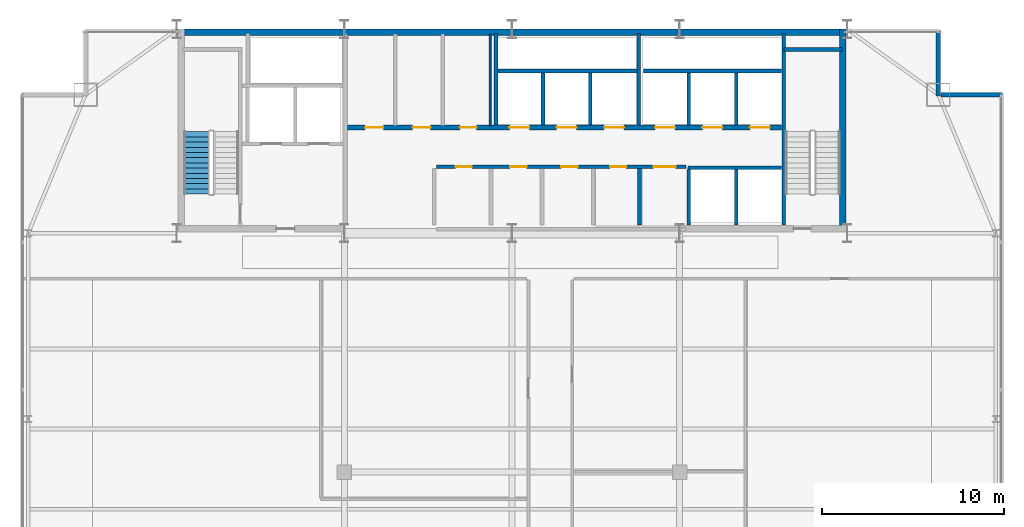
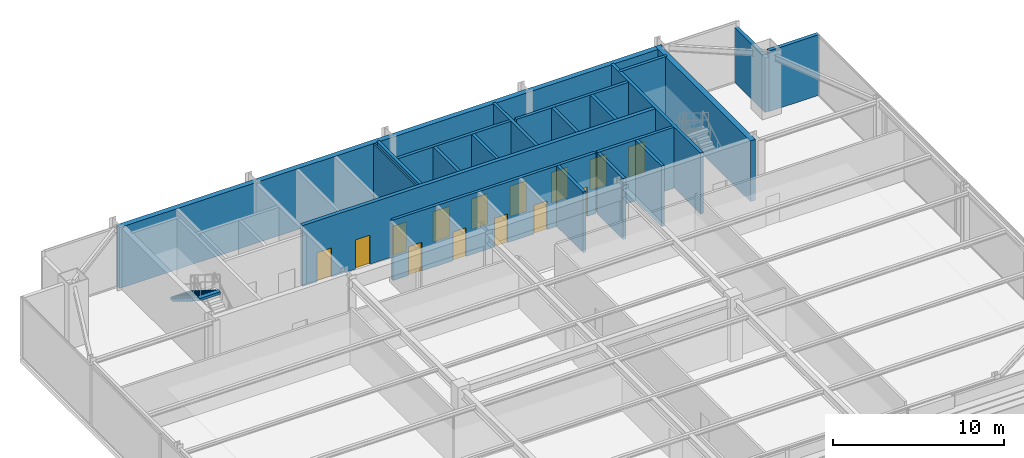
# One storey, part 22 of 25: 21 walls, 14 doors, 1 stair flight, 14 openings, 1 element without a shape of its own.
"""IFC4 building model written with IfcOpenShell, lengths in metres."""

from ifc_helpers import new_model, si_unit, direction, frame, frame_2d, origin, place, context, subcontext, project, spatial, polyline, rectangle, outline, extrude, source, transform, mapped, material, layer, layer_set, type_object, type_shapes, element, fill, aggregate, save


model = new_model("IFC4")

# Units and contexts
model_context = context("Model", 3, precision=1e-05, world=origin(), true_north=direction((0.0, 1.0)))
body_context = subcontext(model_context, "Body", "Model", "MODEL_VIEW")
ifc_project = project(units=[si_unit("LENGTHUNIT", "METRE"), si_unit("AREAUNIT", "SQUARE_METRE"), si_unit("VOLUMEUNIT", "CUBIC_METRE"), si_unit("PLANEANGLEUNIT", "RADIAN"), si_unit("MASSUNIT", "GRAM", prefix="KILO")], contexts=[model_context])

# Site, building, storey
site_placement = place(None, origin())
site = spatial("IfcSite", under=ifc_project, at=site_placement, CompositionType="ELEMENT")
building_placement = place(site_placement, origin())
building = spatial("IfcBuilding", under=site, at=building_placement, Name="Varnel Quay Broadcast Tower", CompositionType="ELEMENT")
storey_placement = place(building_placement, frame((0.0, 0.0, 191.39990234375)))
storey = spatial("IfcBuildingStorey", under=building, at=storey_placement, Name="L47", CompositionType="ELEMENT", Elevation=191.39990234375)

# Walls
ifc_material_1 = material(Name="Concrete CSA A23.3 C50/60", Category="concrete")
ifc_layer_1 = layer(ifc_material_1, 0.199951171875, Name="Concrete CSA A23.3 C50/60")
ifc_layer_set_1 = layer_set([ifc_layer_1], Name="Concrete CSA A23.3 C50/60")
wall_type_1 = type_object("IfcWallType", Name="Wall_CoreShaftShear200", PredefinedType="SHEAR", material=ifc_layer_set_1)
wall_1_placement = place(storey_placement, frame((48.919921875, 36.050048828125, 0.0), z_axis=(0.0, 0.0, 1.0), x_axis=(0.0, 1.0, 0.0)))
element("IfcWall", 1, at=wall_1_placement, inside=storey, type_object=wall_type_1, Name="L47 Stair 2 West Structural Wall", PredefinedType="SHEAR", context=body_context, shape_type="SweptSolid", body=[
    extrude(rectangle(XDim=10.5, YDim=0.199951171875, at=frame_2d((5.25, 0.0))), origin(), (0.0, 0.0, 1.0), 4.35009765625),
])
wall_2_placement = place(storey_placement, frame((48.919921875, 45.679931640625, 0.0), z_axis=(0.0, 0.0, 1.0), x_axis=(1.0, 0.0, 0.0)))
element("IfcWall", 2, at=wall_2_placement, inside=storey, type_object=wall_type_1, Name="L47 Stair 2 North Structural Wall", PredefinedType="SHEAR", context=body_context, shape_type="SweptSolid", body=[
    extrude(rectangle(XDim=3.18017578125, YDim=0.199951171875, at=frame_2d((1.590087890625, 0.0))), origin(), (0.0, 0.0, 1.0), 4.35009765625),
])
wall_3_placement = place(storey_placement, frame((33.219970703125, 44.5, 0.0), z_axis=(0.0, 0.0, 1.0), x_axis=(1.0, 0.0, 0.0)))
element("IfcWall", 3, at=wall_3_placement, inside=storey, type_object=wall_type_1, Name="L47 Mid-Rise Lift Shaft Rear Wall", PredefinedType="SHEAR", context=body_context, shape_type="SweptSolid", body=[
    extrude(rectangle(XDim=7.630126953125, YDim=0.199951171875, at=frame_2d((3.81494140625, 0.0))), origin(), (0.0, 0.0, 1.0), 4.35009765625),
])
wall_4_placement = place(storey_placement, frame((33.1201171875, 41.530029296875, 0.0), z_axis=(0.0, 0.0, 1.0), x_axis=(0.0, 1.0, 0.0)))
element("IfcWall", 4, at=wall_4_placement, inside=storey, type_object=wall_type_1, Name="L47 Mid-Rise Lift Shaft Divider 1", PredefinedType="SHEAR", context=body_context, shape_type="SweptSolid", body=[
    extrude(rectangle(XDim=5.02001953125, YDim=0.199951171875, at=frame_2d((2.510009765625, 0.0))), origin(), (0.0, 0.0, 1.0), 4.35009765625),
])
for number, where, z_axis, x_axis, name in (
    (5, (35.699951171875, 41.530029296875, 0.0), (0.0, 0.0, 1.0), (0.0, 1.0, 0.0), "L47 Mid-Rise Lift Shaft Divider 2"),
    (6, (38.300048828125, 41.530029296875, 0.0), (0.0, 0.0, 1.0), (0.0, 1.0, 0.0), "L47 Mid-Rise Lift Shaft Divider 3"),
):
    element("IfcWall", number, at=place(storey_placement, frame(where, z_axis=z_axis, x_axis=x_axis)), inside=storey, type_object=wall_type_1, Name=name, PredefinedType="SHEAR", context=body_context, shape_type="SweptSolid", body=[
        extrude(rectangle(XDim=2.869873046875, YDim=0.199951171875, at=frame_2d((1.43505859375, 0.0))), origin(), (0.0, 0.0, 1.0), 4.35009765625),
    ])
wall_5_placement = place(storey_placement, frame((40.949951171875, 41.530029296875, 0.0), z_axis=(0.0, 0.0, 1.0), x_axis=(0.0, 1.0, 0.0)))
element("IfcWall", 7, at=wall_5_placement, inside=storey, type_object=wall_type_1, Name="L47 Mid-Rise Lift Shaft Divider 4", PredefinedType="SHEAR", context=body_context, shape_type="SweptSolid", body=[
    extrude(rectangle(XDim=5.02001953125, YDim=0.199951171875, at=frame_2d((2.510009765625, 0.0))), origin(), (0.0, 0.0, 1.0), 4.35009765625),
])
wall_6_placement = place(storey_placement, frame((41.219970703125, 44.5, 0.0), z_axis=(0.0, 0.0, 1.0), x_axis=(1.0, 0.0, 0.0)))
element("IfcWall", 8, at=wall_6_placement, inside=storey, type_object=wall_type_1, Name="L47 High-Rise Lift Shaft Rear Wall", PredefinedType="SHEAR", context=body_context, shape_type="SweptSolid", body=[
    extrude(rectangle(XDim=7.580078125, YDim=0.199951171875, at=frame_2d((3.7900390625, 0.0))), origin(), (0.0, 0.0, 1.0), 4.35009765625),
])
for number, where, z_axis, x_axis, name in (
    (9, (43.699951171875, 41.530029296875, 0.0), (0.0, 0.0, 1.0), (0.0, 1.0, 0.0), "L47 High-Rise Lift Shaft Divider 2"),
    (10, (46.300048828125, 41.530029296875, 0.0), (0.0, 0.0, 1.0), (0.0, 1.0, 0.0), "L47 High-Rise Lift Shaft Divider 3"),
):
    element("IfcWall", number, at=place(storey_placement, frame(where, z_axis=z_axis, x_axis=x_axis)), inside=storey, type_object=wall_type_1, Name=name, PredefinedType="SHEAR", context=body_context, shape_type="SweptSolid", body=[
        extrude(rectangle(XDim=2.869873046875, YDim=0.199951171875, at=frame_2d((1.43505859375, 0.0))), origin(), (0.0, 0.0, 1.0), 4.35009765625),
    ])
for number, where, z_axis, x_axis, name in (
    (11, (43.699951171875, 36.050048828125, 0.0), (0.0, 0.0, 1.0), (0.0, 1.0, 0.0), "L47 Express Lift Shaft West Wall"),
    (12, (46.300048828125, 36.050048828125, 0.0), (0.0, 0.0, 1.0), (0.0, 1.0, 0.0), "L47 Express Lift Shaft Divider"),
):
    element("IfcWall", number, at=place(storey_placement, frame(where, z_axis=z_axis, x_axis=x_axis)), inside=storey, type_object=wall_type_1, Name=name, PredefinedType="SHEAR", context=body_context, shape_type="SweptSolid", body=[
        extrude(rectangle(XDim=3.050048828125, YDim=0.199951171875, at=frame_2d((1.52490234375, 0.0))), origin(), (0.0, 0.0, 1.0), 4.35009765625),
    ])
wall_7_placement = place(storey_placement, frame((43.64990234375, 39.199951171875, 0.0), z_axis=(0.0, 0.0, 1.0), x_axis=(1.0, 0.0, 0.0)))
element("IfcWall", 13, at=wall_7_placement, inside=storey, type_object=wall_type_1, Name="L47 Express Lift Shaft North Front Wall", PredefinedType="SHEAR", context=body_context, shape_type="SweptSolid", body=[
    extrude(rectangle(XDim=5.150146484375, YDim=0.199951171875, at=frame_2d((2.5751953125, 0.0))), origin(), (0.0, 0.0, 1.0), 4.35009765625),
])

# Wall, openings, doors
ifc_layer_2 = layer(ifc_material_1, 0.25, Name="Concrete CSA A23.3 C50/60")
ifc_layer_set_2 = layer_set([ifc_layer_2], Name="Concrete CSA A23.3 C50/60")
wall_type_2 = type_object("IfcWallType", Name="Wall_CoreShaftShear250", PredefinedType="SHEAR", material=ifc_layer_set_2)
wall_8_placement = place(storey_placement, frame((24.97998046875, 41.39990234375, 0.0), z_axis=(0.0, 0.0, 1.0), x_axis=(1.0, 0.0, 0.0)))
wall_8 = element("IfcWall", 14, at=wall_8_placement, inside=storey, type_object=wall_type_2, Name="L47 North Lift Bank & Reclaimed Suite Wall", PredefinedType="SHEAR", context=body_context, shape_type="SweptSolid", body=[
    extrude(rectangle(XDim=23.820068359375, YDim=0.25, at=frame_2d((11.91015625, 0.0))), origin(), (0.0, 0.0, 1.0), 4.35009765625),
])
opening_1_placement = place(wall_8_placement, frame((8.8701171875, 0.0, 0.0)))
opening_1 = element("IfcOpeningElement", 15, at=opening_1_placement, cuts=wall_8, Name="Opening LD-L47-PM-01", PredefinedType="OPENING", context=body_context, shape_type="SweptSolid", body=[
    extrude(rectangle(XDim=1.10009765625, YDim=2.179931640625, at=frame_2d((0.550048828125, 1.08984375))), frame((0.0, 0.135009765625, 0.0), z_axis=(0.0, -1.0, 0.0), x_axis=(1.0, 0.0, 0.0)), (0.0, 0.0, 1.0), 0.27001953125),
])
opening_2_placement = place(wall_8_placement, frame((11.469970703125, 0.0, 0.0)))
opening_2 = element("IfcOpeningElement", 16, at=opening_2_placement, cuts=wall_8, Name="Opening LD-L47-PM-02", PredefinedType="OPENING", context=body_context, shape_type="SweptSolid", body=[
    extrude(rectangle(XDim=1.10009765625, YDim=2.179931640625, at=frame_2d((0.550048828125, 1.08984375))), frame((0.0, 0.135009765625, 0.0), z_axis=(0.0, -1.0, 0.0), x_axis=(1.0, 0.0, 0.0)), (0.0, 0.0, 1.0), 0.27001953125),
])
opening_3_placement = place(wall_8_placement, frame((14.070068359375, 0.0, 0.0)))
opening_3 = element("IfcOpeningElement", 17, at=opening_3_placement, cuts=wall_8, Name="Opening LD-L47-PM-03", PredefinedType="OPENING", context=body_context, shape_type="SweptSolid", body=[
    extrude(rectangle(XDim=1.10009765625, YDim=2.179931640625, at=frame_2d((0.550048828125, 1.08984375))), frame((0.0, 0.135009765625, 0.0), z_axis=(0.0, -1.0, 0.0), x_axis=(1.0, 0.0, 0.0)), (0.0, 0.0, 1.0), 0.27001953125),
])
opening_4_placement = place(wall_8_placement, frame((16.8701171875, 0.0, 0.0)))
opening_4 = element("IfcOpeningElement", 18, at=opening_4_placement, cuts=wall_8, Name="Opening LD-L47-PH-01", PredefinedType="OPENING", context=body_context, shape_type="SweptSolid", body=[
    extrude(rectangle(XDim=1.10009765625, YDim=2.179931640625, at=frame_2d((0.550048828125, 1.08984375))), frame((0.0, 0.135009765625, 0.0), z_axis=(0.0, -1.0, 0.0), x_axis=(1.0, 0.0, 0.0)), (0.0, 0.0, 1.0), 0.27001953125),
])
opening_5_placement = place(wall_8_placement, frame((19.469970703125, 0.0, 0.0)))
opening_5 = element("IfcOpeningElement", 19, at=opening_5_placement, cuts=wall_8, Name="Opening LD-L47-PH-02", PredefinedType="OPENING", context=body_context, shape_type="SweptSolid", body=[
    extrude(rectangle(XDim=1.10009765625, YDim=2.179931640625, at=frame_2d((0.550048828125, 1.08984375))), frame((0.0, 0.135009765625, 0.0), z_axis=(0.0, -1.0, 0.0), x_axis=(1.0, 0.0, 0.0)), (0.0, 0.0, 1.0), 0.27001953125),
])
opening_6_placement = place(wall_8_placement, frame((22.070068359375, 0.0, 0.0)))
opening_6 = element("IfcOpeningElement", 20, at=opening_6_placement, cuts=wall_8, Name="Opening LD-L47-PH-03", PredefinedType="OPENING", context=body_context, shape_type="SweptSolid", body=[
    extrude(rectangle(XDim=1.10009765625, YDim=2.179931640625, at=frame_2d((0.550048828125, 1.08984375))), frame((0.0, 0.135009765625, 0.0), z_axis=(0.0, -1.0, 0.0), x_axis=(1.0, 0.0, 0.0)), (0.0, 0.0, 1.0), 0.27001953125),
])
opening_7_placement = place(wall_8_placement, frame((0.9599609375, 0.0, 0.0)))
opening_7 = element("IfcOpeningElement", 21, at=opening_7_placement, cuts=wall_8, Name="Opening D-L47-RECA1", PredefinedType="OPENING", context=body_context, shape_type="SweptSolid", body=[
    extrude(rectangle(XDim=1.0, YDim=2.080078125, at=frame_2d((0.5, 1.0400390625))), frame((0.0, 0.135009765625, 0.0), z_axis=(0.0, -1.0, 0.0), x_axis=(1.0, 0.0, 0.0)), (0.0, 0.0, 1.0), 0.27001953125),
])
opening_8_placement = place(wall_8_placement, frame((3.56005859375, 0.0, 0.0)))
opening_8 = element("IfcOpeningElement", 22, at=opening_8_placement, cuts=wall_8, Name="Opening D-L47-RECA2", PredefinedType="OPENING", context=body_context, shape_type="SweptSolid", body=[
    extrude(rectangle(XDim=1.0, YDim=2.080078125, at=frame_2d((0.5, 1.0400390625))), frame((0.0, 0.135009765625, 0.0), z_axis=(0.0, -1.0, 0.0), x_axis=(1.0, 0.0, 0.0)), (0.0, 0.0, 1.0), 0.27001953125),
])
opening_9_placement = place(wall_8_placement, frame((6.159912109375, 0.0, 0.0)))
opening_9 = element("IfcOpeningElement", 23, at=opening_9_placement, cuts=wall_8, Name="Opening D-L47-RECA3", PredefinedType="OPENING", context=body_context, shape_type="SweptSolid", body=[
    extrude(rectangle(XDim=0.919921875, YDim=2.080078125, at=frame_2d((0.4599609375, 1.0400390625))), frame((0.0, 0.135009765625, 0.0), z_axis=(0.0, -1.0, 0.0), x_axis=(1.0, 0.0, 0.0)), (0.0, 0.0, 1.0), 0.27001953125),
])
ifc_material_2 = material(Name="Brushed Bronze-Stainless Lift Car & Sliding Doors", Category="steel")
door_type_1 = type_object("IfcDoorType", Name="Door_LiftLanding1100", OperationType="SLIDING_TO_LEFT", PredefinedType="DOOR", material=ifc_material_2)
shared_shape_1 = source(origin(), body_context, "Body", "SweptSolid", [
    extrude(rectangle(XDim=1.10009765625, YDim=2.179931640625, at=frame_2d((0.550048828125, 1.08984375))), frame((0.0, 0.02490234375, 0.0), z_axis=(0.0, -1.0, 0.0), x_axis=(1.0, 0.0, 0.0)), (0.0, 0.0, 1.0), 0.050048828125),
])
type_shapes(door_type_1, [shared_shape_1])
door_1_placement = place(opening_1_placement, frame((1.10009765625, 0.0, 0.0), z_axis=(0.0, 0.0, 1.0), x_axis=(-1.0, 0.0, 0.0)))
door_1 = element("IfcDoor", 24, at=door_1_placement, inside=storey, type_object=door_type_1, Name="L47 Lift PM-01 Landing Door", OperationType="SLIDING_TO_LEFT", OverallHeight=2.179931640625, OverallWidth=1.10009765625, PredefinedType="DOOR", context=body_context, shape_type="MappedRepresentation", body=[
    mapped(shared_shape_1, transform((0.0, 0.0, 0.0), x_axis=(1.0, 0.0, 0.0), y_axis=(0.0, 1.0, 0.0), z_axis=(0.0, 0.0, 1.0), scale=1.0)),
])
fill(opening_1, door_1)
door_2_placement = place(opening_2_placement, frame((1.10009765625, 0.0, 0.0), z_axis=(0.0, 0.0, 1.0), x_axis=(-1.0, 0.0, 0.0)))
door_2 = element("IfcDoor", 25, at=door_2_placement, inside=storey, type_object=door_type_1, Name="L47 Lift PM-02 Landing Door", OperationType="SLIDING_TO_LEFT", OverallHeight=2.179931640625, OverallWidth=1.10009765625, PredefinedType="DOOR", context=body_context, shape_type="MappedRepresentation", body=[
    mapped(shared_shape_1, transform((0.0, 0.0, 0.0), x_axis=(1.0, 0.0, 0.0), y_axis=(0.0, 1.0, 0.0), z_axis=(0.0, 0.0, 1.0), scale=1.0)),
])
fill(opening_2, door_2)
door_3_placement = place(opening_3_placement, frame((1.10009765625, 0.0, 0.0), z_axis=(0.0, 0.0, 1.0), x_axis=(-1.0, 0.0, 0.0)))
door_3 = element("IfcDoor", 26, at=door_3_placement, inside=storey, type_object=door_type_1, Name="L47 Lift PM-03 Landing Door", OperationType="SLIDING_TO_LEFT", OverallHeight=2.179931640625, OverallWidth=1.10009765625, PredefinedType="DOOR", context=body_context, shape_type="MappedRepresentation", body=[
    mapped(shared_shape_1, transform((0.0, 0.0, 0.0), x_axis=(1.0, 0.0, 0.0), y_axis=(0.0, 1.0, 0.0), z_axis=(0.0, 0.0, 1.0), scale=1.0)),
])
fill(opening_3, door_3)
door_4_placement = place(opening_4_placement, frame((1.10009765625, 0.0, 0.0), z_axis=(0.0, 0.0, 1.0), x_axis=(-1.0, 0.0, 0.0)))
door_4 = element("IfcDoor", 27, at=door_4_placement, inside=storey, type_object=door_type_1, Name="L47 Lift PH-01 Landing Door", OperationType="SLIDING_TO_LEFT", OverallHeight=2.179931640625, OverallWidth=1.10009765625, PredefinedType="DOOR", context=body_context, shape_type="MappedRepresentation", body=[
    mapped(shared_shape_1, transform((0.0, 0.0, 0.0), x_axis=(1.0, 0.0, 0.0), y_axis=(0.0, 1.0, 0.0), z_axis=(0.0, 0.0, 1.0), scale=1.0)),
])
fill(opening_4, door_4)
door_5_placement = place(opening_5_placement, frame((1.10009765625, 0.0, 0.0), z_axis=(0.0, 0.0, 1.0), x_axis=(-1.0, 0.0, 0.0)))
door_5 = element("IfcDoor", 28, at=door_5_placement, inside=storey, type_object=door_type_1, Name="L47 Lift PH-02 Landing Door", OperationType="SLIDING_TO_LEFT", OverallHeight=2.179931640625, OverallWidth=1.10009765625, PredefinedType="DOOR", context=body_context, shape_type="MappedRepresentation", body=[
    mapped(shared_shape_1, transform((0.0, 0.0, 0.0), x_axis=(1.0, 0.0, 0.0), y_axis=(0.0, 1.0, 0.0), z_axis=(0.0, 0.0, 1.0), scale=1.0)),
])
fill(opening_5, door_5)
door_6_placement = place(opening_6_placement, frame((1.10009765625, 0.0, 0.0), z_axis=(0.0, 0.0, 1.0), x_axis=(-1.0, 0.0, 0.0)))
door_6 = element("IfcDoor", 29, at=door_6_placement, inside=storey, type_object=door_type_1, Name="L47 Lift PH-03 Landing Door", OperationType="SLIDING_TO_LEFT", OverallHeight=2.179931640625, OverallWidth=1.10009765625, PredefinedType="DOOR", context=body_context, shape_type="MappedRepresentation", body=[
    mapped(shared_shape_1, transform((0.0, 0.0, 0.0), x_axis=(1.0, 0.0, 0.0), y_axis=(0.0, 1.0, 0.0), z_axis=(0.0, 0.0, 1.0), scale=1.0)),
])
fill(opening_6, door_6)
ifc_material_3 = material(Name="Insulated Fire-Rated Hollow Steel Door", Category="steel")
door_type_2 = type_object("IfcDoorType", Name="Door_FireLobby1000", OperationType="NOTDEFINED", PredefinedType="DOOR", material=ifc_material_3)
shared_shape_2 = source(origin(), body_context, "Body", "SweptSolid", [
    extrude(rectangle(XDim=1.0, YDim=2.080078125, at=frame_2d((0.5, 1.0400390625))), frame((0.0, 0.02490234375, 0.0), z_axis=(0.0, -1.0, 0.0), x_axis=(1.0, 0.0, 0.0)), (0.0, 0.0, 1.0), 0.050048828125),
])
type_shapes(door_type_2, [shared_shape_2])
door_7_placement = place(opening_7_placement, origin())
door_7 = element("IfcDoor", 30, at=door_7_placement, inside=storey, type_object=door_type_2, Name="L47 Ingest Rack Bay A Door", OperationType="SINGLE_SWING_LEFT", OverallHeight=2.080078125, OverallWidth=1.0, PredefinedType="DOOR", context=body_context, shape_type="MappedRepresentation", body=[
    mapped(shared_shape_2, transform((0.0, 0.0, 0.0), x_axis=(1.0, 0.0, 0.0), y_axis=(0.0, 1.0, 0.0), z_axis=(0.0, 0.0, 1.0), scale=1.0)),
])
fill(opening_7, door_7)
door_8_placement = place(opening_8_placement, origin())
door_8 = element("IfcDoor", 31, at=door_8_placement, inside=storey, type_object=door_type_2, Name="L47 Fiber Patch Bay Door", OperationType="SINGLE_SWING_RIGHT", OverallHeight=2.080078125, OverallWidth=1.0, PredefinedType="DOOR", context=body_context, shape_type="MappedRepresentation", body=[
    mapped(shared_shape_2, transform((0.0, 0.0, 0.0), x_axis=(1.0, 0.0, 0.0), y_axis=(0.0, 1.0, 0.0), z_axis=(0.0, 0.0, 1.0), scale=1.0)),
])
fill(opening_8, door_8)
ifc_material_4 = material(Name="Solid-Core Fire-Rated Acoustic Oak Veneer Door", Category="wood")
door_type_3 = type_object("IfcDoorType", Name="Door_Office920", OperationType="NOTDEFINED", PredefinedType="DOOR", material=ifc_material_4)
shared_shape_3 = source(origin(), body_context, "Body", "SweptSolid", [
    extrude(rectangle(XDim=0.919921875, YDim=2.080078125, at=frame_2d((0.4599609375, 1.0400390625))), frame((0.0, 0.02490234375, 0.0), z_axis=(0.0, -1.0, 0.0), x_axis=(1.0, 0.0, 0.0)), (0.0, 0.0, 1.0), 0.050048828125),
])
type_shapes(door_type_3, [shared_shape_3])
door_9_placement = place(opening_9_placement, origin())
door_9 = element("IfcDoor", 32, at=door_9_placement, inside=storey, type_object=door_type_3, Name="L47 Telemetry Store Door", OperationType="SINGLE_SWING_LEFT", OverallHeight=2.080078125, OverallWidth=0.919921875, PredefinedType="DOOR", context=body_context, shape_type="MappedRepresentation", body=[
    mapped(shared_shape_3, transform((0.0, 0.0, 0.0), x_axis=(1.0, 0.0, 0.0), y_axis=(0.0, 1.0, 0.0), z_axis=(0.0, 0.0, 1.0), scale=1.0)),
])
fill(opening_9, door_9)

# Walls
ifc_layer_3 = layer(ifc_material_1, 0.35009765625, Name="Concrete CSA A23.3 C50/60")
ifc_layer_set_3 = layer_set([ifc_layer_3], Name="Concrete CSA A23.3 C50/60")
wall_type_3 = type_object("IfcWallType", Name="Wall_CoreShearExt350", PredefinedType="SHEAR", material=ifc_layer_set_3)
wall_9_placement = place(storey_placement, frame((15.60009765625, 46.625, 0.0), z_axis=(0.0, 0.0, 1.0), x_axis=(1.0, 0.0, 0.0)))
element("IfcWall", 33, at=wall_9_placement, inside=storey, type_object=wall_type_3, Name="L47 North Core Shear Wall", PredefinedType="SHEAR", context=body_context, shape_type="SweptSolid", body=[
    extrude(rectangle(XDim=36.7998046875, YDim=0.35009765625, at=frame_2d((18.39990234375, 0.0))), origin(), (0.0, 0.0, 1.0), 4.35009765625),
])
ifc_layer_4 = layer(ifc_material_1, 0.35009765625, Name="Concrete CSA A23.3 C50/60")
ifc_layer_set_4 = layer_set([ifc_layer_4], Name="Concrete CSA A23.3 C50/60")
wall_type_4 = type_object("IfcWallType", Name="Wall_CoreShearInt350", PredefinedType="SHEAR", material=ifc_layer_set_4)
wall_10_placement = place(storey_placement, frame((52.155029296875, 35.669921875, 0.0), z_axis=(0.0, 0.0, 1.0), x_axis=(0.0, 1.0, 0.0)))
element("IfcWall", 34, at=wall_10_placement, inside=storey, type_object=wall_type_4, Name="L47 East Core Shear Wall", PredefinedType="SHEAR", context=body_context, shape_type="SweptSolid", body=[
    extrude(rectangle(XDim=11.130126953125, YDim=0.35009765625, at=frame_2d((5.56494140625, 0.0))), origin(), (0.0, 0.0, 1.0), 4.35009765625),
])
ifc_material_5 = material(Name="Precast Architectural Concrete C40/50", Category="concrete")
ifc_layer_5 = layer(ifc_material_5, 0.25, Name="Precast Architectural Concrete C40/50")
ifc_layer_set_5 = layer_set([ifc_layer_5], Name="Precast Architectural Concrete C40/50")
wall_type_5 = type_object("IfcWallType", Name="Wall_ExtTerrace250", PredefinedType="SOLIDWALL", material=ifc_layer_set_5)
wall_11_placement = place(storey_placement, frame((57.530029296875, 43.199951171875, 0.0), z_axis=(0.0, 0.0, 1.0), x_axis=(1.0, 0.0, 0.0)))
element("IfcWall", 35, at=wall_11_placement, inside=storey, type_object=wall_type_5, Name="L47 Mega-Column Notch Cladding Wall NNE1", PredefinedType="SOLIDWALL", context=body_context, shape_type="SweptSolid", body=[
    extrude(rectangle(XDim=3.389892578125, YDim=0.25, at=frame_2d((1.69482421875, 0.0))), origin(), (0.0, 0.0, 1.0), 4.330078125),
])
wall_12_placement = place(storey_placement, frame((57.39990234375, 43.1201171875, 0.0), z_axis=(0.0, 0.0, 1.0), x_axis=(0.0, 1.0, 0.0)))
element("IfcWall", 36, at=wall_12_placement, inside=storey, type_object=wall_type_5, Name="L47 Mega-Column Notch Cladding Wall NNE2", PredefinedType="SOLIDWALL", context=body_context, shape_type="SweptSolid", body=[
    extrude(rectangle(XDim=3.599853515625, YDim=0.25, at=frame_2d((1.7998046875, 0.0))), origin(), (0.0, 0.0, 1.0), 3.908203125),
])

# Wall, openings, doors
ifc_material_6 = material(Name="Concrete Blockwork Fire Enclosure C40/50", Category="masonry")
ifc_layer_6 = layer(ifc_material_6, 0.199951171875, Name="Concrete Blockwork Fire Enclosure C40/50")
ifc_layer_set_6 = layer_set([ifc_layer_6], Name="Concrete Blockwork Fire Enclosure C40/50")
wall_type_6 = type_object("IfcWallType", Name="Wall_FireShaft200", PredefinedType="SOLIDWALL", material=ifc_layer_set_6)
wall_13_placement = place(storey_placement, frame((29.85009765625, 39.25, 0.0), z_axis=(0.0, 0.0, 1.0), x_axis=(1.0, 0.0, 0.0)))
wall_13 = element("IfcWall", 37, at=wall_13_placement, inside=storey, type_object=wall_type_6, Name="L47 Accessible Washroom Partition 3", PredefinedType="SOLIDWALL", context=body_context, shape_type="SweptSolid", body=[
    extrude(rectangle(XDim=13.699951171875, YDim=0.199951171875, at=frame_2d((6.85009765625, 0.0))), origin(), (0.0, 0.0, 1.0), 4.330078125),
])
opening_10_placement = place(wall_13_placement, frame((1.050048828125, 0.0, 0.0)))
opening_10 = element("IfcOpeningElement", 38, at=opening_10_placement, cuts=wall_13, Name="Opening D-L47-01", PredefinedType="OPENING", context=body_context, shape_type="SweptSolid", body=[
    extrude(rectangle(XDim=0.89990234375, YDim=2.06005859375, at=frame_2d((0.449951171875, 1.030029296875))), frame((0.0, 0.10986328125, 0.0), z_axis=(0.0, -1.0, 0.0), x_axis=(1.0, 0.0, 0.0)), (0.0, 0.0, 1.0), 0.219970703125),
])
opening_11_placement = place(wall_13_placement, frame((4.050048828125, 0.0, 0.0)))
opening_11 = element("IfcOpeningElement", 39, at=opening_11_placement, cuts=wall_13, Name="Opening D-L47-02", PredefinedType="OPENING", context=body_context, shape_type="SweptSolid", body=[
    extrude(rectangle(XDim=0.89990234375, YDim=2.06005859375, at=frame_2d((0.449951171875, 1.030029296875))), frame((0.0, 0.10986328125, 0.0), z_axis=(0.0, -1.0, 0.0), x_axis=(1.0, 0.0, 0.0)), (0.0, 0.0, 1.0), 0.219970703125),
])
opening_12_placement = place(wall_13_placement, frame((6.85009765625, 0.0, 0.0)))
opening_12 = element("IfcOpeningElement", 40, at=opening_12_placement, cuts=wall_13, Name="Opening D-L47-03", PredefinedType="OPENING", context=body_context, shape_type="SweptSolid", body=[
    extrude(rectangle(XDim=0.89990234375, YDim=2.06005859375, at=frame_2d((0.449951171875, 1.030029296875))), frame((0.0, 0.10986328125, 0.0), z_axis=(0.0, -1.0, 0.0), x_axis=(1.0, 0.0, 0.0)), (0.0, 0.0, 1.0), 0.219970703125),
])
opening_13_placement = place(wall_13_placement, frame((9.534912109375, 0.0, 0.0)))
opening_13 = element("IfcOpeningElement", 41, at=opening_13_placement, cuts=wall_13, Name="Opening D-L47-04", PredefinedType="OPENING", context=body_context, shape_type="SweptSolid", body=[
    extrude(rectangle(XDim=0.8798828125, YDim=2.06005859375, at=frame_2d((0.43994140625, 1.030029296875))), frame((0.0, 0.10986328125, 0.0), z_axis=(0.0, -1.0, 0.0), x_axis=(1.0, 0.0, 0.0)), (0.0, 0.0, 1.0), 0.219970703125),
])
opening_14_placement = place(wall_13_placement, frame((11.925048828125, 0.0, 0.0)))
opening_14 = element("IfcOpeningElement", 42, at=opening_14_placement, cuts=wall_13, Name="Opening D-L47-05", PredefinedType="OPENING", context=body_context, shape_type="SweptSolid", body=[
    extrude(rectangle(XDim=1.199951171875, YDim=2.10009765625, at=frame_2d((0.60009765625, 1.050048828125))), frame((0.0, 0.10986328125, 0.0), z_axis=(0.0, -1.0, 0.0), x_axis=(1.0, 0.0, 0.0)), (0.0, 0.0, 1.0), 0.219970703125),
])
door_type_4 = type_object("IfcDoorType", Name="Door_Washroom900", OperationType="NOTDEFINED", PredefinedType="DOOR", material=ifc_material_4)
shared_shape_4 = source(origin(), body_context, "Body", "SweptSolid", [
    extrude(rectangle(XDim=0.89990234375, YDim=2.06005859375, at=frame_2d((0.449951171875, 1.030029296875))), frame((0.0, 0.02490234375, 0.0), z_axis=(0.0, -1.0, 0.0), x_axis=(1.0, 0.0, 0.0)), (0.0, 0.0, 1.0), 0.050048828125),
])
type_shapes(door_type_4, [shared_shape_4])
door_10_placement = place(opening_10_placement, frame((0.89990234375, 0.0, 0.0), z_axis=(0.0, 0.0, 1.0), x_axis=(-1.0, 0.0, 0.0)))
door_10 = element("IfcDoor", 43, at=door_10_placement, inside=storey, type_object=door_type_4, Name="L47 Accessible Washroom Door D-L47-01", OperationType="SINGLE_SWING_RIGHT", OverallHeight=2.06005859375, OverallWidth=0.89990234375, PredefinedType="DOOR", context=body_context, shape_type="MappedRepresentation", body=[
    mapped(shared_shape_4, transform((0.0, 0.0, 0.0), x_axis=(1.0, 0.0, 0.0), y_axis=(0.0, 1.0, 0.0), z_axis=(0.0, 0.0, 1.0), scale=1.0)),
])
fill(opening_10, door_10)
door_11_placement = place(opening_11_placement, frame((0.89990234375, 0.0, 0.0), z_axis=(0.0, 0.0, 1.0), x_axis=(-1.0, 0.0, 0.0)))
door_11 = element("IfcDoor", 44, at=door_11_placement, inside=storey, type_object=door_type_4, Name="L47 West Gender-Neutral Washroom Door D-L47-02", OperationType="SINGLE_SWING_LEFT", OverallHeight=2.06005859375, OverallWidth=0.89990234375, PredefinedType="DOOR", context=body_context, shape_type="MappedRepresentation", body=[
    mapped(shared_shape_4, transform((0.0, 0.0, 0.0), x_axis=(1.0, 0.0, 0.0), y_axis=(0.0, 1.0, 0.0), z_axis=(0.0, 0.0, 1.0), scale=1.0)),
])
fill(opening_11, door_11)
door_12_placement = place(opening_12_placement, frame((0.89990234375, 0.0, 0.0), z_axis=(0.0, 0.0, 1.0), x_axis=(-1.0, 0.0, 0.0)))
door_12 = element("IfcDoor", 45, at=door_12_placement, inside=storey, type_object=door_type_4, Name="L47 East Staff Washroom Door D-L47-03", OperationType="SINGLE_SWING_RIGHT", OverallHeight=2.06005859375, OverallWidth=0.89990234375, PredefinedType="DOOR", context=body_context, shape_type="MappedRepresentation", body=[
    mapped(shared_shape_4, transform((0.0, 0.0, 0.0), x_axis=(1.0, 0.0, 0.0), y_axis=(0.0, 1.0, 0.0), z_axis=(0.0, 0.0, 1.0), scale=1.0)),
])
fill(opening_12, door_12)
door_type_5 = type_object("IfcDoorType", Name="Door_Plant1200", OperationType="NOTDEFINED", PredefinedType="DOOR", material=ifc_material_3)
shared_shape_5 = source(origin(), body_context, "Body", "SweptSolid", [
    extrude(rectangle(XDim=1.199951171875, YDim=2.10009765625, at=frame_2d((0.60009765625, 1.050048828125))), frame((0.0, 0.02490234375, 0.0), z_axis=(0.0, -1.0, 0.0), x_axis=(1.0, 0.0, 0.0)), (0.0, 0.0, 1.0), 0.050048828125),
])
type_shapes(door_type_5, [shared_shape_5])
door_13_placement = place(opening_14_placement, origin())
door_13 = element("IfcDoor", 46, at=door_13_placement, inside=storey, type_object=door_type_5, Name="L47 Telecom IDF Closet Door D-L47-05", OperationType="SINGLE_SWING_RIGHT", OverallHeight=2.10009765625, OverallWidth=1.199951171875, PredefinedType="DOOR", context=body_context, shape_type="MappedRepresentation", body=[
    mapped(shared_shape_5, transform((0.0, 0.0, 0.0), x_axis=(1.0, 0.0, 0.0), y_axis=(0.0, 1.0, 0.0), z_axis=(0.0, 0.0, 1.0), scale=1.0)),
])
fill(opening_14, door_13)
door_type_6 = type_object("IfcDoorType", Name="Door_Booth880", OperationType="NOTDEFINED", PredefinedType="DOOR", material=ifc_material_4)
shared_shape_6 = source(origin(), body_context, "Body", "SweptSolid", [
    extrude(rectangle(XDim=0.8798828125, YDim=2.06005859375, at=frame_2d((0.43994140625, 1.030029296875))), frame((0.0, 0.02490234375, 0.0), z_axis=(0.0, -1.0, 0.0), x_axis=(1.0, 0.0, 0.0)), (0.0, 0.0, 1.0), 0.050048828125),
])
type_shapes(door_type_6, [shared_shape_6])
door_14_placement = place(opening_13_placement, frame((0.8798828125, 0.0, 0.0), z_axis=(0.0, 0.0, 1.0), x_axis=(-1.0, 0.0, 0.0)))
door_14 = element("IfcDoor", 47, at=door_14_placement, inside=storey, type_object=door_type_6, Name="L47 Cleaners' & Linen Store Door D-L47-04", OperationType="SINGLE_SWING_LEFT", OverallHeight=2.06005859375, OverallWidth=0.8798828125, PredefinedType="DOOR", context=body_context, shape_type="MappedRepresentation", body=[
    mapped(shared_shape_6, transform((0.0, 0.0, 0.0), x_axis=(1.0, 0.0, 0.0), y_axis=(0.0, 1.0, 0.0), z_axis=(0.0, 0.0, 1.0), scale=1.0)),
])
fill(opening_13, door_14)

# Walls
wall_14_placement = place(storey_placement, frame((41.0, 36.050048828125, 0.0), z_axis=(0.0, 0.0, 1.0), x_axis=(0.0, 1.0, 0.0)))
element("IfcWall", 48, at=wall_14_placement, inside=storey, type_object=wall_type_6, Name="L47 Cleaners' & Linen Store Partition 7", PredefinedType="SOLIDWALL", context=body_context, shape_type="SweptSolid", body=[
    extrude(rectangle(XDim=3.099853515625, YDim=0.199951171875, at=frame_2d((1.5498046875, 0.0))), origin(), (0.0, 0.0, 1.0), 4.330078125),
])
ifc_material_7 = material(Name="Steel-Stud Fire-Rated Acoustic Gypsum Partition Assembly", Category="steel")
ifc_layer_7 = layer(ifc_material_7, 0.10498046875, Name="Steel-Stud Fire-Rated Acoustic Gypsum Partition Assembly")
ifc_layer_set_7 = layer_set([ifc_layer_7], Name="Steel-Stud Fire-Rated Acoustic Gypsum Partition Assembly")
wall_type_7 = type_object("IfcWallType", Name="Wall_Partition105", PredefinedType="PARTITIONING", material=ifc_layer_set_7)
wall_15_placement = place(storey_placement, frame((32.800048828125, 41.5, 0.0), z_axis=(0.0, 0.0, 1.0), x_axis=(0.0, 1.0, 0.0)))
element("IfcWall", 49, at=wall_15_placement, inside=storey, type_object=wall_type_7, Name="L47 Telemetry Store Partition 18", PredefinedType="PARTITIONING", context=body_context, shape_type="SweptSolid", body=[
    extrude(rectangle(XDim=5.02001953125, YDim=0.10498046875, at=frame_2d((2.510009765625, 0.0))), origin(), (0.0, 0.0, 1.0), 4.330078125),
])

# Stair, stair flight
ifc_material_8 = material(Name="Precast Structural Concrete C40/50", Category="concrete")
stair_type = type_object("IfcStairType", Name="Stair_ST-01", PredefinedType="HALF_TURN_STAIR", material=ifc_material_8)
stair_placement = place(storey_placement, origin())
stair = element("IfcStair", 50, at=stair_placement, inside=storey, type_object=stair_type, Name="L47 West Core Exit Stair 1", PredefinedType="HALF_TURN_STAIR")
stair_flight_type = type_object("IfcStairFlightType", Name="Flight_ST-01", PredefinedType="STRAIGHT", material=ifc_material_8)
stair_flight_placement = place(storey_placement, frame((16.699951171875, 41.169921875, 2.300048828125), z_axis=(0.0, 0.0, 1.0), x_axis=(0.0, -1.0, 0.0)))
stair_flight = element("IfcStairFlight", 51, at=stair_flight_placement, type_object=stair_flight_type, Name="ST-01 flight 2", NumberOfRisers=13, NumberOfTreads=12, PredefinedType="STRAIGHT", RiserHeight=0.176923077, TreadLength=0.285, context=body_context, shape_type="SweptSolid", body=[
    extrude(outline(polyline([(0.0, 0.0), (0.0, 0.177001953125), (0.284912109375, 0.177001953125), (0.284912109375, 0.353759765625), (0.570068359375, 0.353759765625), (0.570068359375, 0.53076171875), (0.85498046875, 0.53076171875), (0.85498046875, 0.707763671875), (1.139892578125, 0.707763671875), (1.139892578125, 0.884521484375), (1.425048828125, 0.884521484375), (1.425048828125, 1.0615234375), (1.7099609375, 1.0615234375), (1.7099609375, 1.238525390625), (1.9951171875, 1.238525390625), (1.9951171875, 1.415283203125), (2.280029296875, 1.415283203125), (2.280029296875, 1.59228515625), (2.56494140625, 1.59228515625), (2.56494140625, 1.769287109375), (2.85009765625, 1.769287109375), (2.85009765625, 1.946044921875), (3.135009765625, 1.946044921875), (3.135009765625, 2.123046875), (3.419921875, 2.123046875), (3.419921875, 2.300048828125), (3.419921875, 1.946533203125), (0.2841796875, 0.0), (0.0, 0.0)])), frame((0.0, 0.699951171875, 0.0), z_axis=(0.0, -1.0, 0.0), x_axis=(1.0, 0.0, 0.0)), (0.0, 0.0, 1.0), 1.39990234375),
])
aggregate(stair, [stair_flight])

save(model, "model.ifc")
